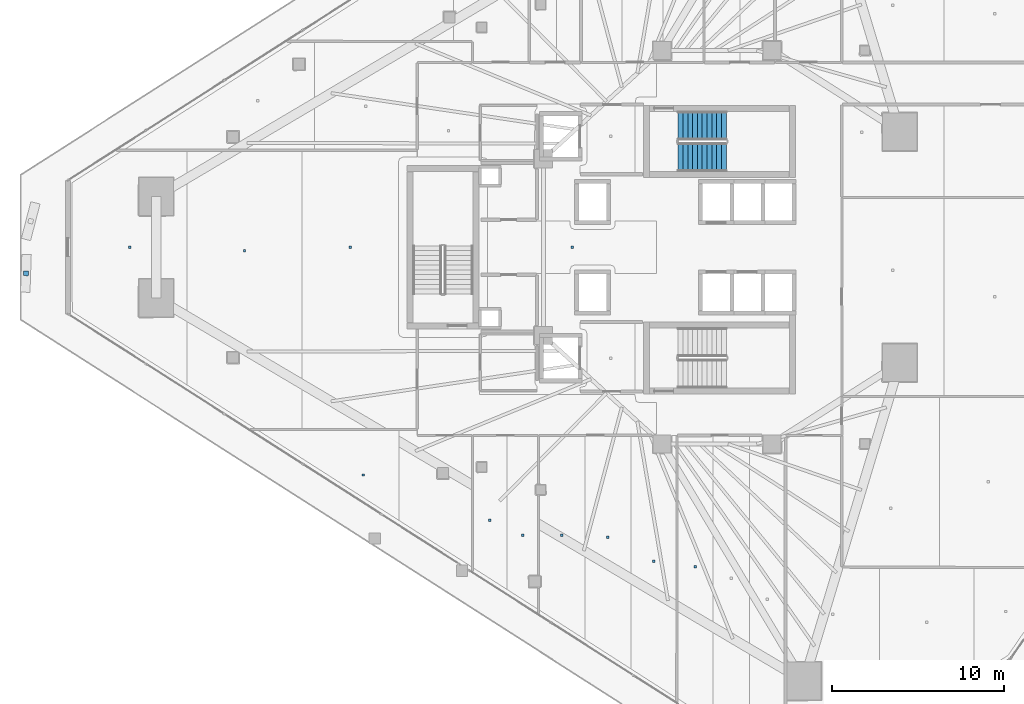
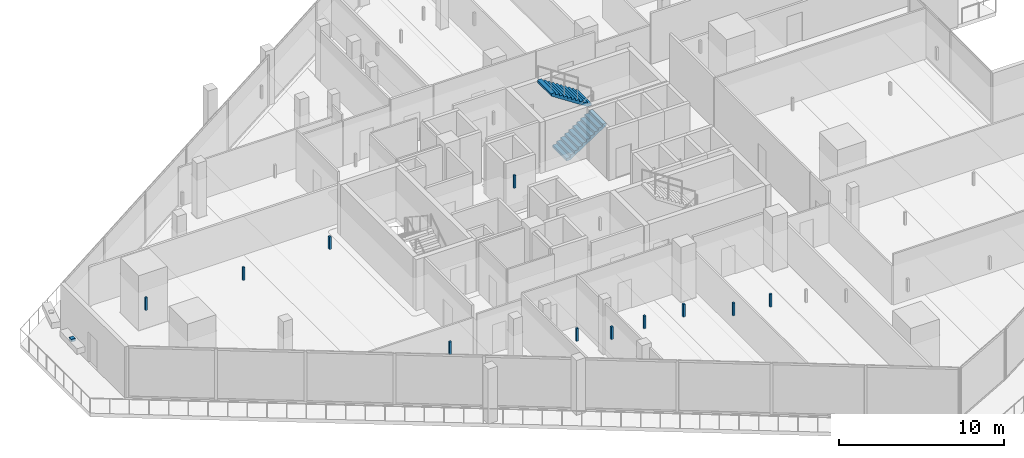
# One storey, part 33 of 45: 12 discrete accessories, 2 stair flights, 1 element without a shape of its own.
"""IFC4 building model written with IfcOpenShell, lengths in metres."""

from ifc_helpers import new_model, si_unit, direction, frame, origin, origin_2d, place, context, subcontext, project, spatial, polyline, rectangle, outline, extrude, material, layer, layer_set, type_object, element, aggregate, save


model = new_model("IFC4")

# Units and contexts
model_context = context("Model", 3, precision=1e-05, world=origin(), true_north=direction((0.0, 1.0)))
body_context = subcontext(model_context, "Body", "Model", "MODEL_VIEW")
ifc_project = project(units=[si_unit("LENGTHUNIT", "METRE"), si_unit("AREAUNIT", "SQUARE_METRE"), si_unit("VOLUMEUNIT", "CUBIC_METRE"), si_unit("PLANEANGLEUNIT", "RADIAN"), si_unit("MASSUNIT", "GRAM", prefix="KILO")], contexts=[model_context])

# Site, building, storey
site_placement = place(None, origin())
site = spatial("IfcSite", under=ifc_project, at=site_placement, CompositionType="ELEMENT")
building_placement = place(site_placement, origin())
building = spatial("IfcBuilding", under=site, at=building_placement, Name="Qorvath Tower", CompositionType="ELEMENT")
storey_placement = place(building_placement, frame((0.0, 0.0, 109.800048828125)))
storey = spatial("IfcBuildingStorey", under=building, at=storey_placement, Name="L24", CompositionType="ELEMENT", Elevation=109.800048828125)

# Stair, stair flights
ifc_material_1 = material(Name="Concrete C50/60", Category="concrete")
stair_type = type_object("IfcStairType", Name="ST-H405", PredefinedType="HALF_TURN_STAIR", material=ifc_material_1)
stair_placement = place(storey_placement, origin())
stair = element("IfcStair", 1, at=stair_placement, inside=storey, type_object=stair_type, Name="L24 Tower Exit Stair 1", PredefinedType="HALF_TURN_STAIR")
ifc_material_2 = material(Name="Concrete C50/60", Category="concrete")
ifc_layer = layer(ifc_material_2, 0.14990234375)
ifc_layer_set = layer_set([ifc_layer], Name="SF-H405")
stair_flight_type = type_object("IfcStairFlightType", Name="SF-H405", PredefinedType="STRAIGHT", material=ifc_layer_set)
stair_flight_1_placement = place(storey_placement, frame((-22.669921875, 5.239990234375, 0.0), z_axis=(0.0, 0.0, 1.0), x_axis=(1.0, 0.0, 0.0)))
stair_flight_1 = element("IfcStairFlight", 2, at=stair_flight_1_placement, type_object=stair_flight_type, Name="TS1 flight 1", NumberOfRisers=11, NumberOfTreads=10, PredefinedType="STRAIGHT", RiserHeight=0.184090909, TreadLength=0.28, context=body_context, shape_type="SweptSolid", body=[
    extrude(outline(polyline([(0.0, 0.0), (0.0, 0.18408203125), (0.280029296875, 0.18408203125), (0.280029296875, 0.3681640625), (0.56005859375, 0.3681640625), (0.56005859375, 0.55224609375), (0.840087890625, 0.55224609375), (0.840087890625, 0.736328125), (1.1201171875, 0.736328125), (1.1201171875, 0.92041015625), (1.39990234375, 0.92041015625), (1.39990234375, 1.1044921875), (1.679931640625, 1.1044921875), (1.679931640625, 1.28857421875), (1.9599609375, 1.28857421875), (1.9599609375, 1.47265625), (2.239990234375, 1.47265625), (2.239990234375, 1.65673828125), (2.52001953125, 1.65673828125), (2.52001953125, 1.8408203125), (2.800048828125, 1.8408203125), (2.800048828125, 2.02490234375), (2.800048828125, 1.66162109375), (0.27294921875, 0.0), (0.0, 0.0)])), frame((0.0, 0.83984375, 0.0), z_axis=(0.0, -1.0, 0.0), x_axis=(1.0, 0.0, 0.0)), (0.0, 0.0, 1.0), 1.679931640625),
])
stair_flight_2_placement = place(storey_placement, frame((-19.8701171875, 7.070068359375, 2.02490234375), z_axis=(0.0, 0.0, 1.0), x_axis=(-1.0, 0.0, 0.0)))
stair_flight_2 = element("IfcStairFlight", 3, at=stair_flight_2_placement, type_object=stair_flight_type, Name="TS1 flight 2", NumberOfRisers=11, NumberOfTreads=10, PredefinedType="STRAIGHT", RiserHeight=0.184090909, TreadLength=0.28, context=body_context, shape_type="SweptSolid", body=[
    extrude(outline(polyline([(0.0, 0.0), (0.0, 0.18408203125), (0.280029296875, 0.18408203125), (0.280029296875, 0.3681640625), (0.56005859375, 0.3681640625), (0.56005859375, 0.55224609375), (0.840087890625, 0.55224609375), (0.840087890625, 0.736328125), (1.1201171875, 0.736328125), (1.1201171875, 0.92041015625), (1.39990234375, 0.92041015625), (1.39990234375, 1.1044921875), (1.679931640625, 1.1044921875), (1.679931640625, 1.28857421875), (1.9599609375, 1.28857421875), (1.9599609375, 1.47265625), (2.239990234375, 1.47265625), (2.239990234375, 1.65673828125), (2.52001953125, 1.65673828125), (2.52001953125, 1.8408203125), (2.800048828125, 1.8408203125), (2.800048828125, 2.02490234375), (2.800048828125, 1.66162109375), (0.27294921875, 0.0), (0.0, 0.0)])), frame((0.0, 0.83984375, 0.0), z_axis=(0.0, -1.0, 0.0), x_axis=(1.0, 0.0, 0.0)), (0.0, 0.0, 1.0), 1.679931640625),
])
aggregate(stair, [stair_flight_1, stair_flight_2])

# Discrete accessories
ifc_material_3 = material(Name="Galvanised steel bracket", Category="steel")
discrete_accessory_type = type_object("IfcDiscreteAccessoryType", Name="DA-BRACKET", PredefinedType="BRACKET", material=ifc_material_3)
discrete_accessory_placement = place(storey_placement, frame((-60.6337890625, -1.518798828125, 3.6298828125), z_axis=(0.0, 0.0, 1.0), x_axis=(-0.034559362809, -0.999402646806, 0.0)))
element("IfcDiscreteAccessory", 4, at=discrete_accessory_placement, inside=storey, type_object=discrete_accessory_type, Name="Louvre Wave Support Bracket L24-02", PredefinedType="NOTDEFINED", context=body_context, shape_type="SweptSolid", body=[
    extrude(rectangle(XDim=0.280029296875, YDim=0.280029296875, at=origin_2d()), origin(), (0.0, 0.0, 1.0), 0.199951171875),
])
for number, where, z_axis, x_axis, name in (
    (5, (-28.83984375, 0.0, 2.85986328125), (0.0, 0.0, 1.0), (1.0, 0.0, 0.0), "Acoustic Ceiling Suspension Hanger T1-L24-009"),
    (6, (-33.6435546875, -15.879150390625, 2.85986328125), (0.0, 0.0, 1.0), (1.0, 0.0, 0.0), "Acoustic Ceiling Suspension Hanger T1-L24-022"),
    (7, (-31.719482421875, -16.767333984375, 2.85986328125), (0.0, 0.0, 1.0), (1.0, 0.0, 0.0), "Acoustic Ceiling Suspension Hanger T1-L24-023"),
    (8, (-29.438720703125, -16.767333984375, 2.85986328125), (0.0, 0.0, 1.0), (1.0, 0.0, 0.0), "Acoustic Ceiling Suspension Hanger T1-L24-024"),
    (9, (-26.7587890625, -16.887939453125, 2.85986328125), (0.0, 0.0, 1.0), (1.0, 0.0, 0.0), "Acoustic Ceiling Suspension Hanger T1-L24-025"),
    (10, (-24.0830078125, -18.28759765625, 2.85986328125), (0.0, 0.0, 1.0), (1.0, 0.0, 0.0), "Acoustic Ceiling Suspension Hanger T1-L24-026"),
    (11, (-21.680908203125, -18.60205078125, 2.85986328125), (0.0, 0.0, 1.0), (1.0, 0.0, 0.0), "Acoustic Ceiling Suspension Hanger T1-L24-027"),
    (12, (-40.991455078125, -13.25439453125, 2.85986328125), (0.0, 0.0, 1.0), (1.0, 0.0, 0.0), "Acoustic Ceiling Suspension Hanger T1-L24-042"),
    (13, (-54.600830078125, -0.0087890625, 2.85986328125), (0.0, 0.0, 1.0), (1.0, 0.0, 0.0), "Acoustic Ceiling Suspension Hanger T1-L24-044"),
    (14, (-47.908447265625, -0.210693359375, 2.85986328125), (0.0, 0.0, 1.0), (1.0, 0.0, 0.0), "Acoustic Ceiling Suspension Hanger T1-L24-045"),
    (15, (-41.7548828125, 0.0, 2.85986328125), (0.0, 0.0, 1.0), (1.0, 0.0, 0.0), "Acoustic Ceiling Suspension Hanger T1-L24-046"),
):
    element("IfcDiscreteAccessory", number, at=place(storey_placement, frame(where, z_axis=z_axis, x_axis=x_axis)), inside=storey, type_object=discrete_accessory_type, Name=name, PredefinedType="NOTDEFINED", context=body_context, shape_type="SweptSolid", body=[
        extrude(rectangle(XDim=0.139892578125, YDim=0.139892578125, at=origin_2d()), origin(), (0.0, 0.0, 1.0), 0.940185546875),
    ])

save(model, "model.ifc")
